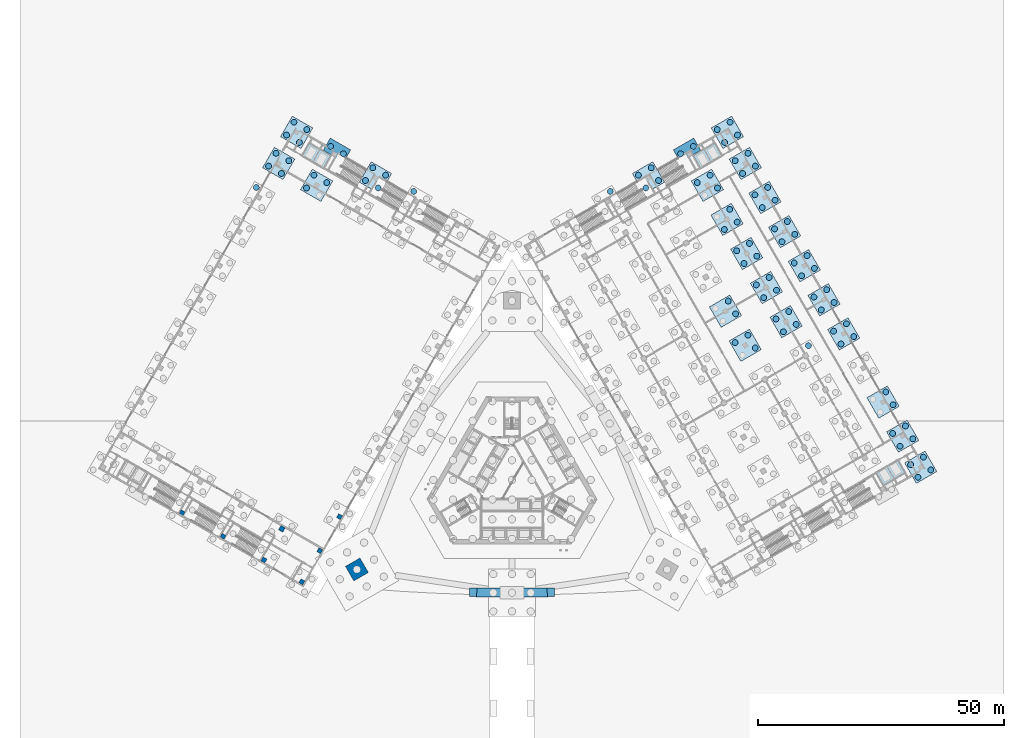
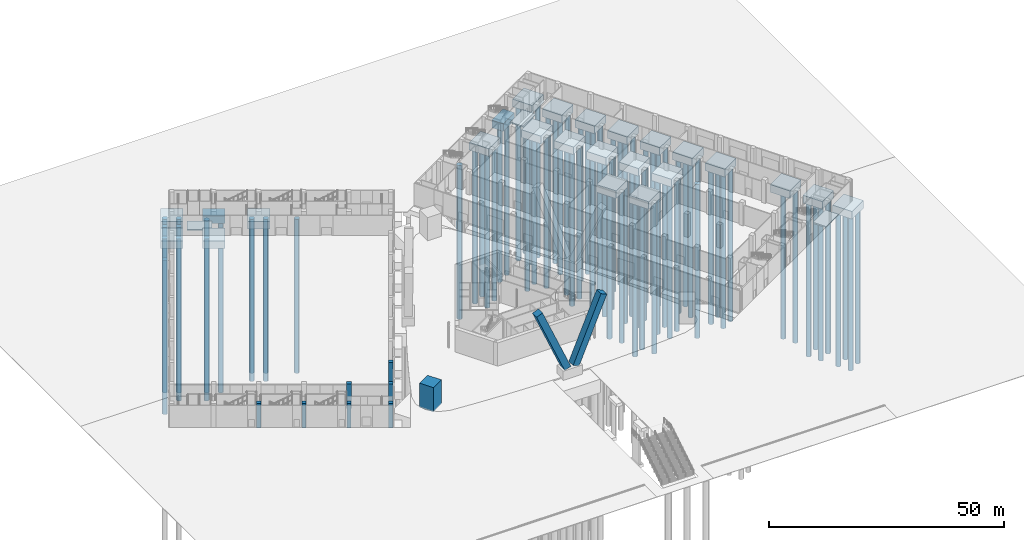
# One storey, part 4 of 38: 88 piles, 27 footings, 10 columns.
"""IFC4 building model written with IfcOpenShell, lengths in metres."""

from ifc_helpers import new_model, si_unit, direction, frame, origin, origin_2d, place, context, subcontext, project, spatial, polyline, rectangle, circle, outline, extrude, material, layer, layer_set, material_profile, profile_set, type_object, element, save


model = new_model("IFC4")

# Units and contexts
model_context = context("Model", 3, precision=1e-05, world=origin(), true_north=direction((0.0, 1.0)))
body_context = subcontext(model_context, "Body", "Model", "MODEL_VIEW")
ifc_project = project(units=[si_unit("LENGTHUNIT", "METRE"), si_unit("AREAUNIT", "SQUARE_METRE"), si_unit("VOLUMEUNIT", "CUBIC_METRE"), si_unit("PLANEANGLEUNIT", "RADIAN"), si_unit("MASSUNIT", "GRAM", prefix="KILO")], contexts=[model_context])

# Site, building, storey
site_placement = place(None, origin())
site = spatial("IfcSite", under=ifc_project, at=site_placement, CompositionType="ELEMENT")
building_placement = place(site_placement, origin())
building = spatial("IfcBuilding", under=site, at=building_placement, Name="Mestral Congress Tower", CompositionType="ELEMENT")
storey_placement = place(building_placement, origin())
storey = spatial("IfcBuildingStorey", under=building, at=storey_placement, Name="L00", CompositionType="ELEMENT", Elevation=0.0)

# Piles
ifc_material_1 = material(Name="Concrete C35/45", Category="concrete")
ifc_material_profile_1 = material_profile(ifc_material_1, circle(Radius=0.60009765625, at=origin_2d()), Name="D1200")
ifc_profile_set_1 = profile_set([ifc_material_profile_1], Name="Concrete C35/45")
pile_type = type_object("IfcPileType", Name="Bored pile D1200", PredefinedType="BORED", material=ifc_profile_set_1)
for number, where, z_axis, x_axis, name in (
    (1, (82.518310546875, 0.5302734375, -2.14990234375), (0.0, 0.0, -1.0), (1.0, 0.0, 0.0), "PILE-WC-E-01F-01"),
    (2, (85.1162109375, 2.0302734375, -2.14990234375), (0.0, 0.0, -1.0), (1.0, 0.0, 0.0), "PILE-WC-E-01F-02"),
    (3, (81.018310546875, 3.12841796875, -2.14990234375), (0.0, 0.0, -1.0), (1.0, 0.0, 0.0), "PILE-WC-E-01F-03"),
    (4, (83.6162109375, 4.62841796875, -2.14990234375), (0.0, 0.0, -1.0), (1.0, 0.0, 0.0), "PILE-WC-E-01F-04"),
    (5, (78.868408203125, 6.852294921875, -2.14990234375), (0.0, 0.0, -1.0), (1.0, 0.0, 0.0), "PILE-WC-E-02F-01"),
    (6, (81.46630859375, 8.352294921875, -2.14990234375), (0.0, 0.0, -1.0), (1.0, 0.0, 0.0), "PILE-WC-E-02F-02"),
    (7, (77.368408203125, 9.4501953125, -2.14990234375), (0.0, 0.0, -1.0), (1.0, 0.0, 0.0), "PILE-WC-E-02F-03"),
    (8, (79.96630859375, 10.9501953125, -2.14990234375), (0.0, 0.0, -1.0), (1.0, 0.0, 0.0), "PILE-WC-E-02F-04"),
    (9, (77.46630859375, 15.280517578125, -2.14990234375), (0.0, 0.0, -1.0), (1.0, 0.0, 0.0), "PILE-WC-E-03F-02"),
    (10, (75.96630859375, 17.87841796875, -2.14990234375), (0.0, 0.0, -1.0), (1.0, 0.0, 0.0), "PILE-WC-E-03F-04"),
    (11, (60.2587890625, 27.284912109375, -2.14990234375), (0.0, 0.0, -1.0), (1.0, 0.0, 0.0), "PILE-WC-E-05E-04"),
    (12, (66.868408203125, 27.63671875, -2.14990234375), (0.0, 0.0, -1.0), (1.0, 0.0, 0.0), "PILE-WC-E-05F-01"),
    (13, (69.46630859375, 29.13671875, -2.14990234375), (0.0, 0.0, -1.0), (1.0, 0.0, 0.0), "PILE-WC-E-05F-02"),
    (14, (65.368408203125, 30.23486328125, -2.14990234375), (0.0, 0.0, -1.0), (1.0, 0.0, 0.0), "PILE-WC-E-05F-03"),
    (15, (67.96630859375, 31.73486328125, -2.14990234375), (0.0, 0.0, -1.0), (1.0, 0.0, 0.0), "PILE-WC-E-05F-04"),
    (16, (49.44482421875, 26.81494140625, -2.14990234375), (0.0, 0.0, -1.0), (1.0, 0.0, 0.0), "PILE-WC-E-06D-02"),
    (17, (45.3466796875, 27.9130859375, -2.14990234375), (0.0, 0.0, -1.0), (1.0, 0.0, 0.0), "PILE-WC-E-06D-03"),
    (18, (47.94482421875, 29.4130859375, -2.14990234375), (0.0, 0.0, -1.0), (1.0, 0.0, 0.0), "PILE-WC-E-06D-04"),
    (19, (55.16064453125, 30.114990234375, -2.14990234375), (0.0, 0.0, -1.0), (1.0, 0.0, 0.0), "PILE-WC-E-06E-01"),
    (20, (57.7587890625, 31.614990234375, -2.14990234375), (0.0, 0.0, -1.0), (1.0, 0.0, 0.0), "PILE-WC-E-06E-02"),
    (21, (53.66064453125, 32.713134765625, -2.14990234375), (0.0, 0.0, -1.0), (1.0, 0.0, 0.0), "PILE-WC-E-06E-03"),
    (22, (56.2587890625, 34.213134765625, -2.14990234375), (0.0, 0.0, -1.0), (1.0, 0.0, 0.0), "PILE-WC-E-06E-04"),
    (23, (62.868408203125, 34.56494140625, -2.14990234375), (0.0, 0.0, -1.0), (1.0, 0.0, 0.0), "PILE-WC-E-06F-01"),
    (24, (65.46630859375, 36.06494140625, -2.14990234375), (0.0, 0.0, -1.0), (1.0, 0.0, 0.0), "PILE-WC-E-06F-02"),
    (25, (61.368408203125, 37.1630859375, -2.14990234375), (0.0, 0.0, -1.0), (1.0, 0.0, 0.0), "PILE-WC-E-06F-03"),
    (26, (63.96630859375, 38.6630859375, -2.14990234375), (0.0, 0.0, -1.0), (1.0, 0.0, 0.0), "PILE-WC-E-06F-04"),
    (27, (45.44482421875, 33.7431640625, -2.14990234375), (0.0, 0.0, -1.0), (1.0, 0.0, 0.0), "PILE-WC-E-07D-02"),
    (28, (43.94482421875, 36.34130859375, -2.14990234375), (0.0, 0.0, -1.0), (1.0, 0.0, 0.0), "PILE-WC-E-07D-04"),
    (29, (51.16064453125, 37.043212890625, -2.14990234375), (0.0, 0.0, -1.0), (1.0, 0.0, 0.0), "PILE-WC-E-07E-01"),
    (30, (53.7587890625, 38.543212890625, -2.14990234375), (0.0, 0.0, -1.0), (1.0, 0.0, 0.0), "PILE-WC-E-07E-02"),
    (31, (49.66064453125, 39.641357421875, -2.14990234375), (0.0, 0.0, -1.0), (1.0, 0.0, 0.0), "PILE-WC-E-07E-03"),
    (32, (52.2587890625, 41.141357421875, -2.14990234375), (0.0, 0.0, -1.0), (1.0, 0.0, 0.0), "PILE-WC-E-07E-04"),
    (33, (58.868408203125, 41.4931640625, -2.14990234375), (0.0, 0.0, -1.0), (1.0, 0.0, 0.0), "PILE-WC-E-07F-01"),
    (34, (61.46630859375, 42.9931640625, -2.14990234375), (0.0, 0.0, -1.0), (1.0, 0.0, 0.0), "PILE-WC-E-07F-02"),
    (35, (57.368408203125, 44.09130859375, -2.14990234375), (0.0, 0.0, -1.0), (1.0, 0.0, 0.0), "PILE-WC-E-07F-03"),
    (36, (59.96630859375, 45.59130859375, -2.14990234375), (0.0, 0.0, -1.0), (1.0, 0.0, 0.0), "PILE-WC-E-07F-04"),
    (37, (47.16064453125, 43.971435546875, -2.14990234375), (0.0, 0.0, -1.0), (1.0, 0.0, 0.0), "PILE-WC-E-08E-01"),
    (38, (49.7587890625, 45.471435546875, -2.14990234375), (0.0, 0.0, -1.0), (1.0, 0.0, 0.0), "PILE-WC-E-08E-02"),
    (39, (45.66064453125, 46.569580078125, -2.14990234375), (0.0, 0.0, -1.0), (1.0, 0.0, 0.0), "PILE-WC-E-08E-03"),
    (40, (48.2587890625, 48.069580078125, -2.14990234375), (0.0, 0.0, -1.0), (1.0, 0.0, 0.0), "PILE-WC-E-08E-04"),
    (41, (54.868408203125, 48.42138671875, -2.14990234375), (0.0, 0.0, -1.0), (1.0, 0.0, 0.0), "PILE-WC-E-08F-01"),
    (42, (57.46630859375, 49.92138671875, -2.14990234375), (0.0, 0.0, -1.0), (1.0, 0.0, 0.0), "PILE-WC-E-08F-02"),
    (43, (53.368408203125, 51.01953125, -2.14990234375), (0.0, 0.0, -1.0), (1.0, 0.0, 0.0), "PILE-WC-E-08F-03"),
    (44, (55.96630859375, 52.51953125, -2.14990234375), (0.0, 0.0, -1.0), (1.0, 0.0, 0.0), "PILE-WC-E-08F-04"),
    (45, (43.16064453125, 50.899658203125, -2.14990234375), (0.0, 0.0, -1.0), (1.0, 0.0, 0.0), "PILE-WC-E-09E-01"),
    (46, (45.7587890625, 52.399658203125, -2.14990234375), (0.0, 0.0, -1.0), (1.0, 0.0, 0.0), "PILE-WC-E-09E-02"),
    (47, (44.2587890625, 54.997802734375, -2.14990234375), (0.0, 0.0, -1.0), (1.0, 0.0, 0.0), "PILE-WC-E-09E-04"),
    (48, (50.868408203125, 55.349609375, -2.14990234375), (0.0, 0.0, -1.0), (1.0, 0.0, 0.0), "PILE-WC-E-09F-01"),
    (49, (53.46630859375, 56.849609375, -2.14990234375), (0.0, 0.0, -1.0), (1.0, 0.0, 0.0), "PILE-WC-E-09F-02"),
    (50, (49.368408203125, 57.94775390625, -2.14990234375), (0.0, 0.0, -1.0), (1.0, 0.0, 0.0), "PILE-WC-E-09F-03"),
    (51, (51.96630859375, 59.44775390625, -2.14990234375), (0.0, 0.0, -1.0), (1.0, 0.0, 0.0), "PILE-WC-E-09F-04"),
    (52, (41.7587890625, 59.327880859375, -2.14990234375), (0.0, 0.0, -1.0), (1.0, 0.0, 0.0), "PILE-WC-E-10E-02"),
    (53, (37.66064453125, 60.42578125, -2.14990234375), (0.0, 0.0, -1.0), (1.0, 0.0, 0.0), "PILE-WC-E-10E-03"),
    (54, (40.2587890625, 61.92578125, -2.14990234375), (0.0, 0.0, -1.0), (1.0, 0.0, 0.0), "PILE-WC-E-10E-04"),
    (55, (46.868408203125, 62.27783203125, -2.14990234375), (0.0, 0.0, -1.0), (1.0, 0.0, 0.0), "PILE-WC-E-10F-01"),
    (56, (49.46630859375, 63.77783203125, -2.14990234375), (0.0, 0.0, -1.0), (1.0, 0.0, 0.0), "PILE-WC-E-10F-02"),
    (57, (45.368408203125, 64.8759765625, -2.14990234375), (0.0, 0.0, -1.0), (1.0, 0.0, 0.0), "PILE-WC-E-10F-03"),
    (58, (47.96630859375, 66.3759765625, -2.14990234375), (0.0, 0.0, -1.0), (1.0, 0.0, 0.0), "PILE-WC-E-10F-04"),
    (59, (19.98095703125, 58.64794921875, -2.14990234375), (0.0, 0.0, -1.0), (1.0, 0.0, 0.0), "PILE-WC-E-11C-04"),
    (60, (27.19677734375, 59.349853515625, -2.14990234375), (0.0, 0.0, -1.0), (1.0, 0.0, 0.0), "PILE-WC-E-11D-01"),
    (61, (29.794921875, 60.849853515625, -2.14990234375), (0.0, 0.0, -1.0), (1.0, 0.0, 0.0), "PILE-WC-E-11D-02"),
    (62, (25.69677734375, 61.947998046875, -2.14990234375), (0.0, 0.0, -1.0), (1.0, 0.0, 0.0), "PILE-WC-E-11D-03"),
    (63, (28.294921875, 63.447998046875, -2.14990234375), (0.0, 0.0, -1.0), (1.0, 0.0, 0.0), "PILE-WC-E-11D-04"),
    (64, (34.273193359375, 66.293212890625, -2.14990234375), (0.0, 0.0, -1.0), (1.0, 0.0, 0.0), "PILE-WC-E-11E-01"),
    (65, (36.87109375, 67.793212890625, -2.14990234375), (0.0, 0.0, -1.0), (1.0, 0.0, 0.0), "PILE-WC-E-11E-02"),
    (66, (43.21826171875, 68.599853515625, -2.14990234375), (0.0, 0.0, -1.0), (1.0, 0.0, 0.0), "PILE-WC-E-11F-01"),
    (67, (45.81640625, 70.099853515625, -2.14990234375), (0.0, 0.0, -1.0), (1.0, 0.0, 0.0), "PILE-WC-E-11F-02"),
    (68, (41.71826171875, 71.197998046875, -2.14990234375), (0.0, 0.0, -1.0), (1.0, 0.0, 0.0), "PILE-WC-E-11F-03"),
    (69, (44.31640625, 72.697998046875, -2.14990234375), (0.0, 0.0, -1.0), (1.0, 0.0, 0.0), "PILE-WC-E-11F-04"),
    (70, (-19.98095703125, 58.647705078125, -2.14990234375), (0.0, 0.0, -1.0), (1.0, 0.0, 0.0), "PILE-WC-W-01C-02"),
    (71, (-25.69677734375, 61.94775390625, -2.14990234375), (0.0, 0.0, -1.0), (1.0, 0.0, 0.0), "PILE-WC-W-01D-01"),
    (72, (-28.294921875, 63.44775390625, -2.14990234375), (0.0, 0.0, -1.0), (1.0, 0.0, 0.0), "PILE-WC-W-01D-02"),
    (73, (-27.19677734375, 59.349609375, -2.14990234375), (0.0, 0.0, -1.0), (1.0, 0.0, 0.0), "PILE-WC-W-01D-03"),
    (74, (-29.794921875, 60.849609375, -2.14990234375), (0.0, 0.0, -1.0), (1.0, 0.0, 0.0), "PILE-WC-W-01D-04"),
    (75, (-34.273193359375, 66.293212890625, -2.14990234375), (0.0, 0.0, -1.0), (1.0, 0.0, 0.0), "PILE-WC-W-01E-01"),
    (76, (-36.87109375, 67.793212890625, -2.14990234375), (0.0, 0.0, -1.0), (1.0, 0.0, 0.0), "PILE-WC-W-01E-02"),
    (77, (-41.71826171875, 71.19775390625, -2.14990234375), (0.0, 0.0, -1.0), (1.0, 0.0, 0.0), "PILE-WC-W-01F-01"),
    (78, (-44.31640625, 72.69775390625, -2.14990234375), (0.0, 0.0, -1.0), (1.0, 0.0, 0.0), "PILE-WC-W-01F-02"),
    (79, (-43.21826171875, 68.599609375, -2.14990234375), (0.0, 0.0, -1.0), (1.0, 0.0, 0.0), "PILE-WC-W-01F-03"),
    (80, (-45.81640625, 70.099609375, -2.14990234375), (0.0, 0.0, -1.0), (1.0, 0.0, 0.0), "PILE-WC-W-01F-04"),
    (81, (-37.66064453125, 60.42578125, -2.14990234375), (0.0, 0.0, -1.0), (1.0, 0.0, 0.0), "PILE-WC-W-02E-01"),
    (82, (-40.2587890625, 61.92578125, -2.14990234375), (0.0, 0.0, -1.0), (1.0, 0.0, 0.0), "PILE-WC-W-02E-02"),
    (83, (-41.7587890625, 59.327880859375, -2.14990234375), (0.0, 0.0, -1.0), (1.0, 0.0, 0.0), "PILE-WC-W-02E-04"),
    (84, (-45.368408203125, 64.875732421875, -2.14990234375), (0.0, 0.0, -1.0), (1.0, 0.0, 0.0), "PILE-WC-W-02F-01"),
    (85, (-47.96630859375, 66.375732421875, -2.14990234375), (0.0, 0.0, -1.0), (1.0, 0.0, 0.0), "PILE-WC-W-02F-02"),
    (86, (-46.868408203125, 62.27783203125, -2.14990234375), (0.0, 0.0, -1.0), (1.0, 0.0, 0.0), "PILE-WC-W-02F-03"),
    (87, (-49.46630859375, 63.77783203125, -2.14990234375), (0.0, 0.0, -1.0), (1.0, 0.0, 0.0), "PILE-WC-W-02F-04"),
    (88, (-51.96630859375, 59.447509765625, -2.14990234375), (0.0, 0.0, -1.0), (1.0, 0.0, 0.0), "PILE-WC-W-03F-02"),
):
    element("IfcPile", number, at=place(storey_placement, frame(where, z_axis=z_axis, x_axis=x_axis)), inside=storey, type_object=pile_type, Name=name, PredefinedType="BORED", context=body_context, shape_type="SweptSolid", body=[
        extrude(circle(Radius=0.60009765625, at=origin_2d()), origin(), (0.0, 0.0, 1.0), 40.0),
    ])

# Footings
ifc_layer_1 = layer(ifc_material_1, 0.300048828125)
ifc_layer_set_1 = layer_set([ifc_layer_1], Name="Concrete C35/45")
footing_type_1 = type_object("IfcFootingType", Name="Lift pit slab 300", PredefinedType="PAD_FOOTING", material=ifc_layer_set_1)
placement_1 = place(storey_placement, frame((0.0, 0.0, -1.800048828125)))
element("IfcFooting", 89, at=placement_1, inside=storey, type_object=footing_type_1, Name="FT-PIT-E0", PredefinedType="PAD_FOOTING", context=body_context, shape_type="SweptSolid", body=[
    extrude(outline(polyline([(73.856201171875, 1.533447265625), (75.4560546875, -1.23779296875), (80.0458984375, 1.412109375), (78.446044921875, 4.18359375), (73.856201171875, 1.533447265625)])), origin(), (0.0, 0.0, 1.0), 0.300048828125),
])
element("IfcFooting", 90, at=placement_1, inside=storey, type_object=footing_type_1, Name="FT-PIT-E1", PredefinedType="PAD_FOOTING", context=body_context, shape_type="SweptSolid", body=[
    extrude(outline(polyline([(36.656005859375, 65.9658203125), (38.256103515625, 63.194580078125), (42.845947265625, 65.844482421875), (41.24609375, 68.61572265625), (36.656005859375, 65.9658203125)])), origin(), (0.0, 0.0, 1.0), 0.300048828125),
])
element("IfcFooting", 91, at=placement_1, inside=storey, type_object=footing_type_1, Name="FT-PIT-W0", PredefinedType="PAD_FOOTING", context=body_context, shape_type="SweptSolid", body=[
    extrude(outline(polyline([(-38.256103515625, 63.194580078125), (-36.656005859375, 65.9658203125), (-41.24609375, 68.61572265625), (-42.845947265625, 65.844482421875), (-38.256103515625, 63.194580078125)])), origin(), (0.0, 0.0, 1.0), 0.300048828125),
])
ifc_layer_2 = layer(ifc_material_1, 2.0)
ifc_layer_set_2 = layer_set([ifc_layer_2], Name="Concrete C35/45")
footing_type_2 = type_object("IfcFootingType", Name="Wing pile cap 4800", PredefinedType="PILE_CAP", material=ifc_layer_set_2)
placement_2 = place(storey_placement, frame((0.0, 0.0, -2.300048828125)))
element("IfcFooting", 92, at=placement_2, inside=storey, type_object=footing_type_2, Name="FT-WC-E-01F", PredefinedType="PILE_CAP", context=body_context, shape_type="SweptSolid", body=[
    extrude(outline(polyline([(82.188720703125, -0.69921875), (86.345703125, 1.70068359375), (83.94580078125, 5.857666015625), (79.788818359375, 3.457763671875), (82.188720703125, -0.69921875)])), origin(), (0.0, 0.0, 1.0), 2.0),
])
element("IfcFooting", 93, at=placement_2, inside=storey, type_object=footing_type_2, Name="FT-WC-E-02F", PredefinedType="PILE_CAP", context=body_context, shape_type="SweptSolid", body=[
    extrude(outline(polyline([(78.538818359375, 5.622802734375), (82.69580078125, 8.022705078125), (80.2958984375, 12.1796875), (76.138916015625, 9.77978515625), (78.538818359375, 5.622802734375)])), origin(), (0.0, 0.0, 1.0), 2.0),
])
element("IfcFooting", 94, at=placement_2, inside=storey, type_object=footing_type_2, Name="FT-WC-E-03F", PredefinedType="PILE_CAP", context=body_context, shape_type="SweptSolid", body=[
    extrude(outline(polyline([(74.538818359375, 12.55078125), (78.69580078125, 14.950927734375), (76.2958984375, 19.10791015625), (72.138916015625, 16.7080078125), (74.538818359375, 12.55078125)])), origin(), (0.0, 0.0, 1.0), 2.0),
])
element("IfcFooting", 95, at=placement_2, inside=storey, type_object=footing_type_2, Name="FT-WC-E-05F", PredefinedType="PILE_CAP", context=body_context, shape_type="SweptSolid", body=[
    extrude(outline(polyline([(66.538818359375, 26.407470703125), (70.69580078125, 28.807373046875), (68.2958984375, 32.96435546875), (64.138916015625, 30.564208984375), (66.538818359375, 26.407470703125)])), origin(), (0.0, 0.0, 1.0), 2.0),
])
element("IfcFooting", 96, at=placement_2, inside=storey, type_object=footing_type_2, Name="FT-WC-E-06D", PredefinedType="PILE_CAP", context=body_context, shape_type="SweptSolid", body=[
    extrude(outline(polyline([(46.517333984375, 24.085693359375), (50.67431640625, 26.485595703125), (48.2744140625, 30.642578125), (44.117431640625, 28.242431640625), (46.517333984375, 24.085693359375)])), origin(), (0.0, 0.0, 1.0), 2.0),
])
element("IfcFooting", 97, at=placement_2, inside=storey, type_object=footing_type_2, Name="FT-WC-E-06E", PredefinedType="PILE_CAP", context=body_context, shape_type="SweptSolid", body=[
    extrude(outline(polyline([(54.831298828125, 28.885498046875), (58.988037109375, 31.28564453125), (56.588134765625, 35.4423828125), (52.43115234375, 33.04248046875), (54.831298828125, 28.885498046875)])), origin(), (0.0, 0.0, 1.0), 2.0),
])
element("IfcFooting", 98, at=placement_2, inside=storey, type_object=footing_type_2, Name="FT-WC-E-06F", PredefinedType="PILE_CAP", context=body_context, shape_type="SweptSolid", body=[
    extrude(outline(polyline([(62.538818359375, 33.335693359375), (66.69580078125, 35.735595703125), (64.2958984375, 39.892578125), (60.138916015625, 37.492431640625), (62.538818359375, 33.335693359375)])), origin(), (0.0, 0.0, 1.0), 2.0),
])
element("IfcFooting", 99, at=placement_2, inside=storey, type_object=footing_type_2, Name="FT-WC-E-07D", PredefinedType="PILE_CAP", context=body_context, shape_type="SweptSolid", body=[
    extrude(outline(polyline([(42.517333984375, 31.013916015625), (46.67431640625, 33.413818359375), (44.2744140625, 37.57080078125), (40.117431640625, 35.170654296875), (42.517333984375, 31.013916015625)])), origin(), (0.0, 0.0, 1.0), 2.0),
])
element("IfcFooting", 100, at=placement_2, inside=storey, type_object=footing_type_2, Name="FT-WC-E-07E", PredefinedType="PILE_CAP", context=body_context, shape_type="SweptSolid", body=[
    extrude(outline(polyline([(50.831298828125, 35.813720703125), (54.988037109375, 38.2138671875), (52.588134765625, 42.37060546875), (48.43115234375, 39.970703125), (50.831298828125, 35.813720703125)])), origin(), (0.0, 0.0, 1.0), 2.0),
])
element("IfcFooting", 101, at=placement_2, inside=storey, type_object=footing_type_2, Name="FT-WC-E-07F", PredefinedType="PILE_CAP", context=body_context, shape_type="SweptSolid", body=[
    extrude(outline(polyline([(58.538818359375, 40.263916015625), (62.69580078125, 42.663818359375), (60.2958984375, 46.82080078125), (56.138916015625, 44.420654296875), (58.538818359375, 40.263916015625)])), origin(), (0.0, 0.0, 1.0), 2.0),
])
element("IfcFooting", 102, at=placement_2, inside=storey, type_object=footing_type_2, Name="FT-WC-E-08E", PredefinedType="PILE_CAP", context=body_context, shape_type="SweptSolid", body=[
    extrude(outline(polyline([(46.831298828125, 42.741943359375), (50.988037109375, 45.14208984375), (48.588134765625, 49.298828125), (44.43115234375, 46.89892578125), (46.831298828125, 42.741943359375)])), origin(), (0.0, 0.0, 1.0), 2.0),
])
element("IfcFooting", 103, at=placement_2, inside=storey, type_object=footing_type_2, Name="FT-WC-E-08F", PredefinedType="PILE_CAP", context=body_context, shape_type="SweptSolid", body=[
    extrude(outline(polyline([(54.538818359375, 47.19189453125), (58.69580078125, 49.592041015625), (56.2958984375, 53.748779296875), (52.138916015625, 51.348876953125), (54.538818359375, 47.19189453125)])), origin(), (0.0, 0.0, 1.0), 2.0),
])
element("IfcFooting", 104, at=placement_2, inside=storey, type_object=footing_type_2, Name="FT-WC-E-09E", PredefinedType="PILE_CAP", context=body_context, shape_type="SweptSolid", body=[
    extrude(outline(polyline([(42.831298828125, 49.670166015625), (46.988037109375, 52.0703125), (44.588134765625, 56.22705078125), (40.43115234375, 53.8271484375), (42.831298828125, 49.670166015625)])), origin(), (0.0, 0.0, 1.0), 2.0),
])
element("IfcFooting", 105, at=placement_2, inside=storey, type_object=footing_type_2, Name="FT-WC-E-09F", PredefinedType="PILE_CAP", context=body_context, shape_type="SweptSolid", body=[
    extrude(outline(polyline([(50.538818359375, 54.1201171875), (54.69580078125, 56.520263671875), (52.2958984375, 60.677001953125), (48.138916015625, 58.277099609375), (50.538818359375, 54.1201171875)])), origin(), (0.0, 0.0, 1.0), 2.0),
])
element("IfcFooting", 106, at=placement_2, inside=storey, type_object=footing_type_2, Name="FT-WC-E-10E", PredefinedType="PILE_CAP", context=body_context, shape_type="SweptSolid", body=[
    extrude(outline(polyline([(38.831298828125, 56.598388671875), (42.988037109375, 58.998291015625), (40.588134765625, 63.1552734375), (36.43115234375, 60.75537109375), (38.831298828125, 56.598388671875)])), origin(), (0.0, 0.0, 1.0), 2.0),
])
element("IfcFooting", 107, at=placement_2, inside=storey, type_object=footing_type_2, Name="FT-WC-E-10F", PredefinedType="PILE_CAP", context=body_context, shape_type="SweptSolid", body=[
    extrude(outline(polyline([(46.538818359375, 61.04833984375), (50.69580078125, 63.448486328125), (48.2958984375, 67.605224609375), (44.138916015625, 65.205322265625), (46.538818359375, 61.04833984375)])), origin(), (0.0, 0.0, 1.0), 2.0),
])
element("IfcFooting", 108, at=placement_2, inside=storey, type_object=footing_type_2, Name="FT-WC-E-11D", PredefinedType="PILE_CAP", context=body_context, shape_type="SweptSolid", body=[
    extrude(outline(polyline([(26.867431640625, 58.120361328125), (31.0244140625, 60.5205078125), (28.624267578125, 64.67724609375), (24.46728515625, 62.27734375), (26.867431640625, 58.120361328125)])), origin(), (0.0, 0.0, 1.0), 2.0),
])
element("IfcFooting", 109, at=placement_2, inside=storey, type_object=footing_type_2, Name="FT-WC-E-11E", PredefinedType="PILE_CAP", context=body_context, shape_type="SweptSolid", body=[
    extrude(outline(polyline([(34.206298828125, 64.609130859375), (38.363037109375, 67.009033203125), (36.93798828125, 69.477294921875), (32.78125, 67.077392578125), (34.206298828125, 64.609130859375)])), origin(), (0.0, 0.0, 1.0), 2.0),
])
element("IfcFooting", 110, at=placement_2, inside=storey, type_object=footing_type_2, Name="FT-WC-E-11F", PredefinedType="PILE_CAP", context=body_context, shape_type="SweptSolid", body=[
    extrude(outline(polyline([(42.888916015625, 67.370361328125), (47.0458984375, 69.7705078125), (44.645751953125, 73.92724609375), (40.48876953125, 71.52734375), (42.888916015625, 67.370361328125)])), origin(), (0.0, 0.0, 1.0), 2.0),
])
element("IfcFooting", 111, at=placement_2, inside=storey, type_object=footing_type_2, Name="FT-WC-W-01D", PredefinedType="PILE_CAP", context=body_context, shape_type="SweptSolid", body=[
    extrude(outline(polyline([(-24.46728515625, 62.277099609375), (-28.624267578125, 64.67724609375), (-31.0244140625, 60.520263671875), (-26.867431640625, 58.120361328125), (-24.46728515625, 62.277099609375)])), origin(), (0.0, 0.0, 1.0), 2.0),
])
element("IfcFooting", 112, at=placement_2, inside=storey, type_object=footing_type_2, Name="FT-WC-W-01E", PredefinedType="PILE_CAP", context=body_context, shape_type="SweptSolid", body=[
    extrude(outline(polyline([(-32.78125, 67.0771484375), (-36.93798828125, 69.477294921875), (-38.363037109375, 67.009033203125), (-34.206298828125, 64.609130859375), (-32.78125, 67.0771484375)])), origin(), (0.0, 0.0, 1.0), 2.0),
])
element("IfcFooting", 113, at=placement_2, inside=storey, type_object=footing_type_2, Name="FT-WC-W-01F", PredefinedType="PILE_CAP", context=body_context, shape_type="SweptSolid", body=[
    extrude(outline(polyline([(-40.48876953125, 71.527099609375), (-44.645751953125, 73.92724609375), (-47.0458984375, 69.770263671875), (-42.888916015625, 67.370361328125), (-40.48876953125, 71.527099609375)])), origin(), (0.0, 0.0, 1.0), 2.0),
])
element("IfcFooting", 114, at=placement_2, inside=storey, type_object=footing_type_2, Name="FT-WC-W-02E", PredefinedType="PILE_CAP", context=body_context, shape_type="SweptSolid", body=[
    extrude(outline(polyline([(-36.43115234375, 60.75537109375), (-40.588134765625, 63.1552734375), (-42.988037109375, 58.998291015625), (-38.831298828125, 56.598388671875), (-36.43115234375, 60.75537109375)])), origin(), (0.0, 0.0, 1.0), 2.0),
])
element("IfcFooting", 115, at=placement_2, inside=storey, type_object=footing_type_2, Name="FT-WC-W-02F", PredefinedType="PILE_CAP", context=body_context, shape_type="SweptSolid", body=[
    extrude(outline(polyline([(-44.138916015625, 65.205322265625), (-48.2958984375, 67.605224609375), (-50.69580078125, 63.4482421875), (-46.538818359375, 61.04833984375), (-44.138916015625, 65.205322265625)])), origin(), (0.0, 0.0, 1.0), 2.0),
])

# Columns
ifc_material_2 = material(Name="Concrete C80/95", Category="concrete")
ifc_material_profile_2 = material_profile(ifc_material_2, rectangle(XDim=3.39990234375, YDim=3.39990234375, at=origin_2d()), Name="RC 3400x3400")
ifc_profile_set_2 = profile_set([ifc_material_profile_2], Name="Concrete C80/95")
column_type_1 = type_object("IfcColumnType", Name="Mega column RC 3400x3400 C80/95", PredefinedType="COLUMN", material=ifc_profile_set_2)
column_1_placement = place(storey_placement, frame((-31.5224609375, -18.199462890625, -0.300048828125), z_axis=(0.0, 0.0, 1.0), x_axis=(-0.866025403784, -0.5, 0.0)))
element("IfcColumn", 116, at=column_1_placement, inside=storey, type_object=column_type_1, Name="COL-L00-PY1-SW", PredefinedType="COLUMN", context=body_context, shape_type="SweptSolid", body=[
    extrude(rectangle(XDim=3.39990234375, YDim=3.39990234375, at=origin_2d()), origin(), (0.0, 0.0, 1.0), 6.300048828125),
])
ifc_material_3 = material(Name="Concrete C60/75", Category="concrete")
ifc_material_profile_3 = material_profile(ifc_material_3, rectangle(XDim=1.0, YDim=1.0, at=origin_2d()), Name="RC 1000x1000")
ifc_profile_set_3 = profile_set([ifc_material_profile_3], Name="Concrete C60/75")
column_type_2 = type_object("IfcColumnType", Name="Podium column RC 1000x1000 C60/75", PredefinedType="COLUMN", material=ifc_profile_set_3)
column_2_placement = place(storey_placement, frame((-46.76806640625, -9.94873046875, -0.300048828125), z_axis=(0.0, 0.0, 1.0), x_axis=(-0.5, -0.866025403784, 0.0)))
element("IfcColumn", 117, at=column_2_placement, inside=storey, type_object=column_type_2, Name="COL-L00-PC-W-10B", PredefinedType="COLUMN", context=body_context, shape_type="SweptSolid", body=[
    extrude(rectangle(XDim=1.0, YDim=1.0, at=origin_2d()), origin(), (0.0, 0.0, 1.0), 6.300048828125),
])
ifc_material_4 = material(Name="Concrete C50/60", Category="concrete")
ifc_material_profile_4 = material_profile(ifc_material_4, rectangle(XDim=0.89990234375, YDim=0.89990234375, at=origin_2d()), Name="RC 900x900")
ifc_profile_set_4 = profile_set([ifc_material_profile_4], Name="Concrete C50/60")
column_type_3 = type_object("IfcColumnType", Name="Podium column RC 900x900 C50/60", PredefinedType="COLUMN", material=ifc_profile_set_4)
for number, where, z_axis, x_axis, name in (
    (118, (-35.060546875, -7.470703125, -0.300048828125), (0.0, 0.0, 1.0), (-0.5, -0.866025403784, 0.0), "COL-L00-PC-W-09A"),
    (119, (-39.060546875, -14.398681640625, -0.300048828125), (0.0, 0.0, 1.0), (-0.5, -0.866025403784, 0.0), "COL-L00-PC-W-10A"),
    (120, (-42.71044921875, -20.720703125, -0.300048828125), (0.0, 0.0, 1.0), (-0.5, -0.866025403784, 0.0), "COL-L00-PC-W-11A"),
    (121, (-50.418212890625, -16.270751953125, -0.300048828125), (0.0, 0.0, 1.0), (-0.5, -0.866025403784, 0.0), "COL-L00-PC-W-11B"),
    (122, (-58.73193359375, -11.470703125, -0.300048828125), (0.0, 0.0, 1.0), (-0.5, -0.866025403784, 0.0), "COL-L00-PC-W-11C"),
    (123, (-67.0458984375, -6.6708984375, -0.300048828125), (0.0, 0.0, 1.0), (-0.5, -0.866025403784, 0.0), "COL-L00-PC-W-11D"),
):
    element("IfcColumn", number, at=place(storey_placement, frame(where, z_axis=z_axis, x_axis=x_axis)), inside=storey, type_object=column_type_3, Name=name, PredefinedType="COLUMN", context=body_context, shape_type="SweptSolid", body=[
        extrude(rectangle(XDim=0.89990234375, YDim=0.89990234375, at=origin_2d()), origin(), (0.0, 0.0, 1.0), 6.300048828125),
    ])
ifc_material_profile_5 = material_profile(ifc_material_2, rectangle(XDim=1.800048828125, YDim=1.60009765625, at=origin_2d()), Name="RC 1800x1600")
ifc_profile_set_5 = profile_set([ifc_material_profile_5], Name="Concrete C80/95")
column_type_4 = type_object("IfcColumnType", Name="V leg RC 1800x1600 C80/95", PredefinedType="COLUMN", material=ifc_profile_set_5)
for number, where, z_axis, x_axis, name in (
    (124, (-1.0, -22.926513671875, 2.10009765625), (-0.391829934764, 0.005033059672, 0.920023896719), (-0.01284395107, -0.999917513058, 0.0), "COL-VL-VL-SW"),
    (125, (1.0, -22.926513671875, 2.10009765625), (0.391829934764, 0.005033059672, 0.920023896719), (-0.01284395107, 0.999917513058, 0.0), "COL-VL-VL-SE"),
):
    element("IfcColumn", number, at=place(storey_placement, frame(where, z_axis=z_axis, x_axis=x_axis)), inside=storey, type_object=column_type_4, Name=name, PredefinedType="COLUMN", context=body_context, shape_type="SweptSolid", body=[
        extrude(rectangle(XDim=1.800048828125, YDim=1.60009765625, at=origin_2d()), origin(), (0.0, 0.0, 1.0), 17.608154296875),
    ])

save(model, "model.ifc")
